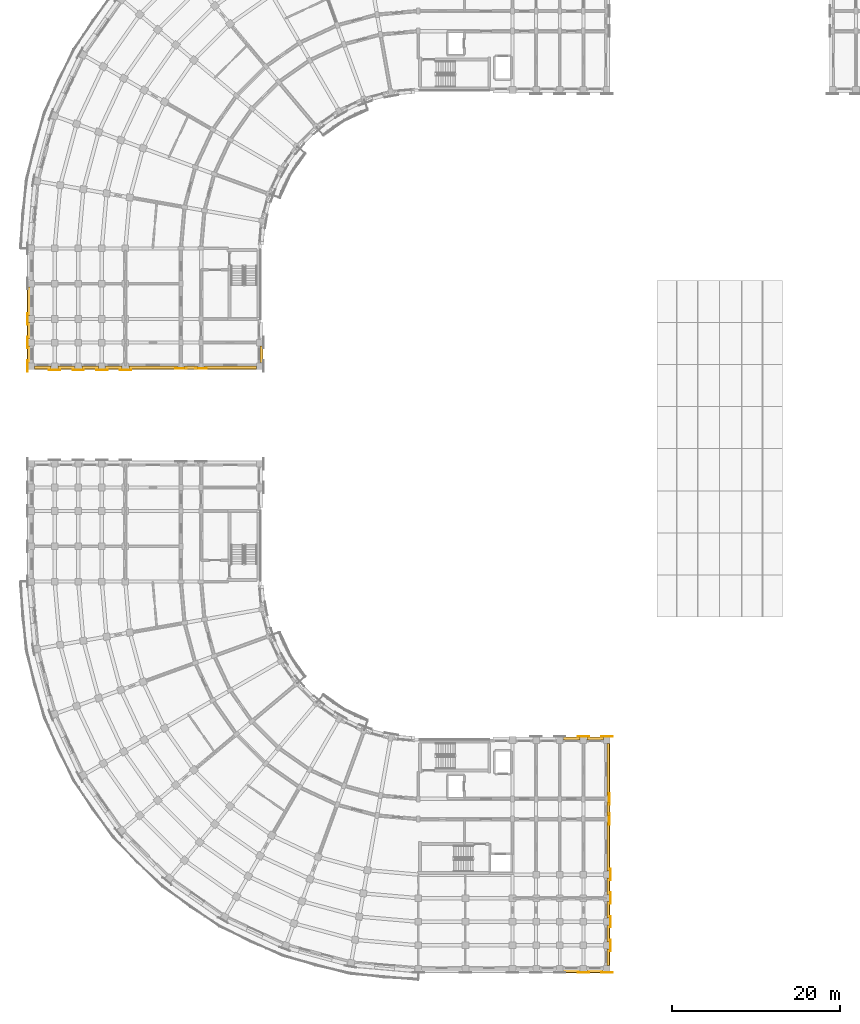
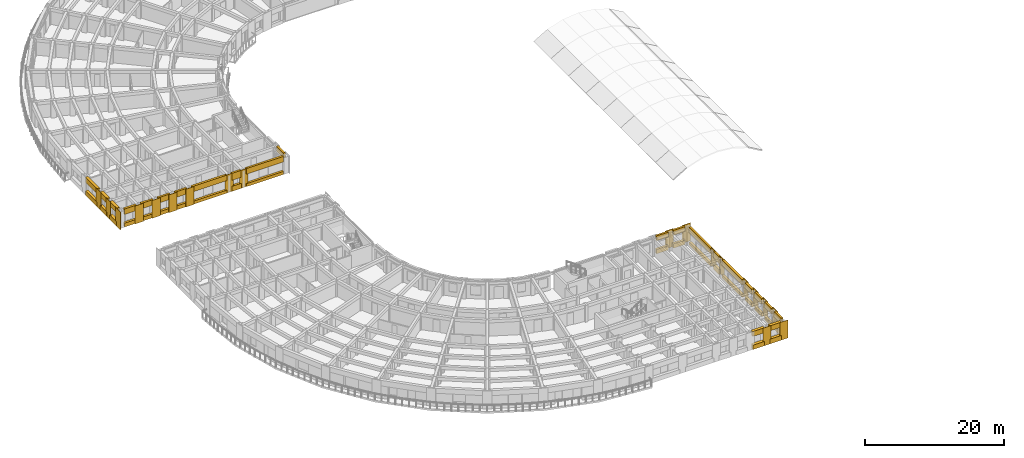
# One storey, part 43 of 54: 62 coverings.
"""IFC4 building model written with IfcOpenShell, lengths in metres."""

from ifc_helpers import new_model, si_unit, direction, frame, origin, place, context, subcontext, project, spatial, polyline, outline, extrude, material, layer, layer_set, type_object, element, save


model = new_model("IFC4")

# Units and contexts
model_context = context("Model", 3, precision=1e-05, world=origin(), true_north=direction((0.0, 1.0)))
body_context = subcontext(model_context, "Body", "Model", "MODEL_VIEW")
ifc_project = project(units=[si_unit("LENGTHUNIT", "METRE"), si_unit("AREAUNIT", "SQUARE_METRE"), si_unit("VOLUMEUNIT", "CUBIC_METRE"), si_unit("PLANEANGLEUNIT", "RADIAN"), si_unit("MASSUNIT", "GRAM", prefix="KILO")], contexts=[model_context])

# Site, building, storey
site_placement = place(None, origin())
site = spatial("IfcSite", under=ifc_project, at=site_placement, CompositionType="ELEMENT")
building_placement = place(site_placement, origin())
building = spatial("IfcBuilding", under=site, at=building_placement, Name="Kiranvali Square Residences", CompositionType="ELEMENT")
storey_placement = place(building_placement, frame((0.0, 0.0, 15.0)))
storey = spatial("IfcBuildingStorey", under=building, at=storey_placement, Name="L04", CompositionType="ELEMENT", Elevation=15.0)

# Coverings
ifc_material = material(Name="Honed Porbandar limestone ashlar facade cladding", Category="masonry")
ifc_layer_1 = layer(ifc_material, 0.06494140625)
ifc_layer_set_1 = layer_set([ifc_layer_1], Name="Honed Porbandar limestone ashlar facade cladding")
covering_type_1 = type_object("IfcCoveringType", Name="COV-CLAD-PIER", PredefinedType="CLADDING", material=ifc_layer_set_1)
covering_1_placement = place(storey_placement, frame((0.0, 0.0, 0.0048828125)))
element("IfcCovering", 1, at=covering_1_placement, inside=storey, type_object=covering_type_1, Name="L04 Classical limestone pilaster casing CLAD-PR-A-L04-V84", PredefinedType="CLADDING", context=body_context, shape_type="SweptSolid", body=[
    extrude(outline(polyline([(1.73193359375, 80.080078125), (1.73193359375, 78.719970703125), (1.799560546875, 78.719970703125), (1.799560546875, 80.080078125), (1.73193359375, 80.080078125)])), origin(), (0.0, 0.0, 1.0), 3.14013671875),
])
covering_2_placement = place(storey_placement, frame((0.0, 0.0, 0.0048828125)))
element("IfcCovering", 2, at=covering_2_placement, inside=storey, type_object=covering_type_1, Name="L04 Classical limestone pilaster casing CLAD-PR-A-L04-V112", PredefinedType="CLADDING", context=body_context, shape_type="SweptSolid", body=[
    extrude(outline(polyline([(1.73193359375, 77.280029296875), (1.73193359375, 75.919921875), (1.799560546875, 75.919921875), (1.799560546875, 77.280029296875), (1.73193359375, 77.280029296875)])), origin(), (0.0, 0.0, 1.0), 3.14013671875),
])
covering_3_placement = place(storey_placement, frame((0.0, 0.0, 0.0048828125)))
element("IfcCovering", 3, at=covering_3_placement, inside=storey, type_object=covering_type_1, Name="L04 Classical limestone pilaster casing CLAD-PR-A-L04-V140", PredefinedType="CLADDING", context=body_context, shape_type="SweptSolid", body=[
    extrude(outline(polyline([(1.73193359375, 74.47998046875), (1.73193359375, 73.1201171875), (1.799560546875, 73.1201171875), (1.799560546875, 74.47998046875), (1.73193359375, 74.47998046875)])), origin(), (0.0, 0.0, 1.0), 3.14013671875),
])
covering_4_placement = place(storey_placement, frame((0.0, 0.0, 0.0048828125)))
element("IfcCovering", 4, at=covering_4_placement, inside=storey, type_object=covering_type_1, Name="L04 Classical limestone pilaster casing CLAD-PR-C-L04-U195", PredefinedType="CLADDING", context=body_context, shape_type="SweptSolid", body=[
    extrude(outline(polyline([(67.1201171875, 1.73193359375), (68.47998046875, 1.73193359375), (68.47998046875, 1.799560546875), (67.1201171875, 1.799560546875), (67.1201171875, 1.73193359375)])), origin(), (0.0, 0.0, 1.0), 3.14013671875),
])
covering_5_placement = place(storey_placement, frame((0.0, 0.0, 0.0048828125)))
element("IfcCovering", 5, at=covering_5_placement, inside=storey, type_object=covering_type_1, Name="L04 Classical limestone pilaster casing CLAD-PR-C-L04-U224", PredefinedType="CLADDING", context=body_context, shape_type="SweptSolid", body=[
    extrude(outline(polyline([(69.919921875, 1.73193359375), (71.280029296875, 1.73193359375), (71.280029296875, 1.799560546875), (69.919921875, 1.799560546875), (69.919921875, 1.73193359375)])), origin(), (0.0, 0.0, 1.0), 3.14013671875),
])
ifc_layer_2 = layer(ifc_material, 0.050048828125)
ifc_layer_set_2 = layer_set([ifc_layer_2], Name="Honed Porbandar limestone ashlar facade cladding")
covering_type_2 = type_object("IfcCoveringType", Name="COV-CLAD-PIER-IN", PredefinedType="CLADDING", material=ifc_layer_set_2)
covering_6_placement = place(storey_placement, frame((0.0, 0.0, 0.0048828125)))
element("IfcCovering", 6, at=covering_6_placement, inside=storey, type_object=covering_type_2, Name="L04 Classical limestone pilaster casing CLAD-PRA1I-C-L04-U195", PredefinedType="CLADDING", context=body_context, shape_type="SweptSolid", body=[
    extrude(outline(polyline([(67.1201171875, 29.800537109375), (68.47998046875, 29.800537109375), (68.47998046875, 29.867919921875), (67.1201171875, 29.867919921875), (67.1201171875, 29.800537109375)])), origin(), (0.0, 0.0, 1.0), 3.14013671875),
])
covering_7_placement = place(storey_placement, frame((0.0, 0.0, 0.0048828125)))
element("IfcCovering", 7, at=covering_7_placement, inside=storey, type_object=covering_type_2, Name="L04 Classical limestone pilaster casing CLAD-PRA1I-C-L04-U224", PredefinedType="CLADDING", context=body_context, shape_type="SweptSolid", body=[
    extrude(outline(polyline([(69.919921875, 29.800537109375), (71.280029296875, 29.800537109375), (71.280029296875, 29.867919921875), (69.919921875, 29.867919921875), (69.919921875, 29.800537109375)])), origin(), (0.0, 0.0, 1.0), 3.14013671875),
])
ifc_layer_3 = layer(ifc_material, 0.054931640625)
ifc_layer_set_3 = layer_set([ifc_layer_3], Name="Honed Porbandar limestone ashlar facade cladding")
covering_type_3 = type_object("IfcCoveringType", Name="COV-CLAD-PIER-UP", PredefinedType="CLADDING", material=ifc_layer_set_3)
covering_8_placement = place(storey_placement, frame((0.0, 0.0, 0.0048828125)))
element("IfcCovering", 8, at=covering_8_placement, inside=storey, type_object=covering_type_3, Name="L04 Classical limestone pilaster casing CLAD-PRA2E-A-L04-R258", PredefinedType="CLADDING", context=body_context, shape_type="SweptSolid", body=[
    extrude(outline(polyline([(23.080078125, 73.549560546875), (21.719970703125, 73.549560546875), (21.719970703125, 73.48193359375), (23.080078125, 73.48193359375), (23.080078125, 73.549560546875)])), origin(), (0.0, 0.0, 1.0), 3.14013671875),
])
covering_9_placement = place(storey_placement, frame((0.0, 0.0, 0.0048828125)))
element("IfcCovering", 9, at=covering_9_placement, inside=storey, type_object=covering_type_3, Name="L04 Classical limestone pilaster casing CLAD-PRA2E-A-L04-R282", PredefinedType="CLADDING", context=body_context, shape_type="SweptSolid", body=[
    extrude(outline(polyline([(20.679931640625, 73.549560546875), (19.320068359375, 73.549560546875), (19.320068359375, 73.48193359375), (20.679931640625, 73.48193359375), (20.679931640625, 73.549560546875)])), origin(), (0.0, 0.0, 1.0), 3.14013671875),
])
covering_10_placement = place(storey_placement, frame((0.0, 0.0, 0.0048828125)))
element("IfcCovering", 10, at=covering_10_placement, inside=storey, type_object=covering_type_3, Name="L04 Classical limestone pilaster casing CLAD-PRA2E-A-L04-R348", PredefinedType="CLADDING", context=body_context, shape_type="SweptSolid", body=[
    extrude(outline(polyline([(14.080078125, 73.3994140625), (12.719970703125, 73.3994140625), (12.719970703125, 73.33203125), (14.080078125, 73.33203125), (14.080078125, 73.3994140625)])), origin(), (0.0, 0.0, 1.0), 3.14013671875),
])
covering_11_placement = place(storey_placement, frame((0.0, 0.0, 0.0048828125)))
element("IfcCovering", 11, at=covering_11_placement, inside=storey, type_object=covering_type_3, Name="L04 Classical limestone pilaster casing CLAD-PRA2E-A-L04-R376", PredefinedType="CLADDING", context=body_context, shape_type="SweptSolid", body=[
    extrude(outline(polyline([(11.280029296875, 73.3994140625), (9.919921875, 73.3994140625), (9.919921875, 73.33203125), (11.280029296875, 73.33203125), (11.280029296875, 73.3994140625)])), origin(), (0.0, 0.0, 1.0), 3.14013671875),
])
covering_12_placement = place(storey_placement, frame((0.0, 0.0, 0.0048828125)))
element("IfcCovering", 12, at=covering_12_placement, inside=storey, type_object=covering_type_3, Name="L04 Classical limestone pilaster casing CLAD-PRA2E-A-L04-R404", PredefinedType="CLADDING", context=body_context, shape_type="SweptSolid", body=[
    extrude(outline(polyline([(8.47998046875, 73.3994140625), (7.1201171875, 73.3994140625), (7.1201171875, 73.33203125), (8.47998046875, 73.33203125), (8.47998046875, 73.3994140625)])), origin(), (0.0, 0.0, 1.0), 3.14013671875),
])
covering_13_placement = place(storey_placement, frame((0.0, 0.0, 0.0048828125)))
element("IfcCovering", 13, at=covering_13_placement, inside=storey, type_object=covering_type_3, Name="L04 Classical limestone pilaster casing CLAD-PRA2E-A-L04-R432", PredefinedType="CLADDING", context=body_context, shape_type="SweptSolid", body=[
    extrude(outline(polyline([(5.679931640625, 73.3994140625), (4.320068359375, 73.3994140625), (4.320068359375, 73.33203125), (5.679931640625, 73.33203125), (5.679931640625, 73.3994140625)])), origin(), (0.0, 0.0, 1.0), 3.14013671875),
])
covering_14_placement = place(storey_placement, frame((0.0, 0.0, 0.0048828125)))
element("IfcCovering", 14, at=covering_14_placement, inside=storey, type_object=covering_type_3, Name="L04 Classical limestone pilaster casing CLAD-PRA1E-C-L04-R258", PredefinedType="CLADDING", context=body_context, shape_type="SweptSolid", body=[
    extrude(outline(polyline([(70.8505859375, 23.080078125), (70.8505859375, 21.719970703125), (70.91796875, 21.719970703125), (70.91796875, 23.080078125), (70.8505859375, 23.080078125)])), origin(), (0.0, 0.0, 1.0), 3.14013671875),
])
covering_15_placement = place(storey_placement, frame((0.0, 0.0, 0.0048828125)))
element("IfcCovering", 15, at=covering_15_placement, inside=storey, type_object=covering_type_3, Name="L04 Classical limestone pilaster casing CLAD-PRA1E-C-L04-R282", PredefinedType="CLADDING", context=body_context, shape_type="SweptSolid", body=[
    extrude(outline(polyline([(70.8505859375, 20.679931640625), (70.8505859375, 19.320068359375), (70.91796875, 19.320068359375), (70.91796875, 20.679931640625), (70.8505859375, 20.679931640625)])), origin(), (0.0, 0.0, 1.0), 3.14013671875),
])
covering_16_placement = place(storey_placement, frame((0.0, 0.0, 0.0048828125)))
element("IfcCovering", 16, at=covering_16_placement, inside=storey, type_object=covering_type_3, Name="L04 Classical limestone pilaster casing CLAD-PRA1E-C-L04-R348", PredefinedType="CLADDING", context=body_context, shape_type="SweptSolid", body=[
    extrude(outline(polyline([(71.00048828125, 14.080078125), (71.00048828125, 12.719970703125), (71.068115234375, 12.719970703125), (71.068115234375, 14.080078125), (71.00048828125, 14.080078125)])), origin(), (0.0, 0.0, 1.0), 3.14013671875),
])
covering_17_placement = place(storey_placement, frame((0.0, 0.0, 0.0048828125)))
element("IfcCovering", 17, at=covering_17_placement, inside=storey, type_object=covering_type_3, Name="L04 Classical limestone pilaster casing CLAD-PRA1E-C-L04-R376", PredefinedType="CLADDING", context=body_context, shape_type="SweptSolid", body=[
    extrude(outline(polyline([(71.00048828125, 11.280029296875), (71.00048828125, 9.919921875), (71.068115234375, 9.919921875), (71.068115234375, 11.280029296875), (71.00048828125, 11.280029296875)])), origin(), (0.0, 0.0, 1.0), 3.14013671875),
])
covering_18_placement = place(storey_placement, frame((0.0, 0.0, 0.0048828125)))
element("IfcCovering", 18, at=covering_18_placement, inside=storey, type_object=covering_type_3, Name="L04 Classical limestone pilaster casing CLAD-PRA1E-C-L04-R404", PredefinedType="CLADDING", context=body_context, shape_type="SweptSolid", body=[
    extrude(outline(polyline([(71.00048828125, 8.47998046875), (71.00048828125, 7.1201171875), (71.068115234375, 7.1201171875), (71.068115234375, 8.47998046875), (71.00048828125, 8.47998046875)])), origin(), (0.0, 0.0, 1.0), 3.14013671875),
])
covering_19_placement = place(storey_placement, frame((0.0, 0.0, 0.0048828125)))
element("IfcCovering", 19, at=covering_19_placement, inside=storey, type_object=covering_type_3, Name="L04 Classical limestone pilaster casing CLAD-PRA1E-C-L04-R432", PredefinedType="CLADDING", context=body_context, shape_type="SweptSolid", body=[
    extrude(outline(polyline([(71.00048828125, 5.679931640625), (71.00048828125, 4.320068359375), (71.068115234375, 4.320068359375), (71.068115234375, 5.679931640625), (71.00048828125, 5.679931640625)])), origin(), (0.0, 0.0, 1.0), 3.14013671875),
])
ifc_layer_4 = layer(ifc_material, 0.360107421875)
ifc_layer_set_4 = layer_set([ifc_layer_4], Name="Honed Porbandar limestone ashlar facade cladding")
covering_type_4 = type_object("IfcCoveringType", Name="COV-CLAD-WALL", PredefinedType="CLADDING", material=ifc_layer_set_4)
covering_20_placement = place(storey_placement, frame((0.0, 0.0, 2.27197265625)))
element("IfcCovering", 20, at=covering_20_placement, inside=storey, type_object=covering_type_4, Name="L04 light limestone spandrel lintel A-L04-A2O-1", PredefinedType="CLADDING", context=body_context, shape_type="SweptSolid", body=[
    extrude(outline(polyline([(1.75, 83.179931640625), (1.75, 79.820068359375), (2.199462890625, 79.820068359375), (2.199462890625, 83.179931640625), (1.75, 83.179931640625)])), origin(), (0.0, 0.0, 1.0), 0.873046875),
])
covering_21_placement = place(storey_placement, frame((0.0, 0.0, 0.0048828125)))
element("IfcCovering", 21, at=covering_21_placement, inside=storey, type_object=covering_type_4, Name="L04 limestone window sill apron A-L04-A2O-1", PredefinedType="CLADDING", context=body_context, shape_type="SweptSolid", body=[
    extrude(outline(polyline([(1.719970703125, 83.179931640625), (1.719970703125, 79.820068359375), (2.199462890625, 79.820068359375), (2.199462890625, 83.179931640625), (1.719970703125, 83.179931640625)])), origin(), (0.0, 0.0, 1.0), 0.76708984375),
])
covering_22_placement = place(storey_placement, frame((0.0, 0.0, 2.27197265625)))
element("IfcCovering", 22, at=covering_22_placement, inside=storey, type_object=covering_type_4, Name="L04 light limestone spandrel lintel A-L04-A2O-2", PredefinedType="CLADDING", context=body_context, shape_type="SweptSolid", body=[
    extrude(outline(polyline([(1.75, 78.97998046875), (1.75, 77.02001953125), (2.199462890625, 77.02001953125), (2.199462890625, 78.97998046875), (1.75, 78.97998046875)])), origin(), (0.0, 0.0, 1.0), 0.873046875),
])
covering_23_placement = place(storey_placement, frame((0.0, 0.0, 0.0048828125)))
element("IfcCovering", 23, at=covering_23_placement, inside=storey, type_object=covering_type_4, Name="L04 limestone window sill apron A-L04-A2O-2", PredefinedType="CLADDING", context=body_context, shape_type="SweptSolid", body=[
    extrude(outline(polyline([(1.719970703125, 78.97998046875), (1.719970703125, 77.02001953125), (2.199462890625, 77.02001953125), (2.199462890625, 78.97998046875), (1.719970703125, 78.97998046875)])), origin(), (0.0, 0.0, 1.0), 0.76708984375),
])
covering_24_placement = place(storey_placement, frame((0.0, 0.0, 2.27197265625)))
element("IfcCovering", 24, at=covering_24_placement, inside=storey, type_object=covering_type_4, Name="L04 light limestone spandrel lintel A-L04-A2O-3", PredefinedType="CLADDING", context=body_context, shape_type="SweptSolid", body=[
    extrude(outline(polyline([(1.75, 76.179931640625), (1.75, 74.219970703125), (2.199462890625, 74.219970703125), (2.199462890625, 76.179931640625), (1.75, 76.179931640625)])), origin(), (0.0, 0.0, 1.0), 0.873046875),
])
covering_25_placement = place(storey_placement, frame((0.0, 0.0, 0.0048828125)))
element("IfcCovering", 25, at=covering_25_placement, inside=storey, type_object=covering_type_4, Name="L04 limestone window sill apron A-L04-A2O-3", PredefinedType="CLADDING", context=body_context, shape_type="SweptSolid", body=[
    extrude(outline(polyline([(1.719970703125, 76.179931640625), (1.719970703125, 74.219970703125), (2.199462890625, 74.219970703125), (2.199462890625, 76.179931640625), (1.719970703125, 76.179931640625)])), origin(), (0.0, 0.0, 1.0), 0.76708984375),
])
covering_26_placement = place(storey_placement, frame((0.0, 0.0, 2.27197265625)))
element("IfcCovering", 26, at=covering_26_placement, inside=storey, type_object=covering_type_4, Name="L04 light limestone spandrel lintel A-L04-A2I-1", PredefinedType="CLADDING", context=body_context, shape_type="SweptSolid", body=[
    extrude(outline(polyline([(29.400390625, 76.179931640625), (29.400390625, 74.219970703125), (29.719970703125, 74.219970703125), (29.719970703125, 76.179931640625), (29.400390625, 76.179931640625)])), origin(), (0.0, 0.0, 1.0), 0.873046875),
])
covering_27_placement = place(storey_placement, frame((0.0, 0.0, 2.172119140625)))
element("IfcCovering", 27, at=covering_27_placement, inside=storey, type_object=covering_type_4, Name="L04 light limestone spandrel lintel A-L04-A2END-0", PredefinedType="CLADDING", context=body_context, shape_type="SweptSolid", body=[
    extrude(outline(polyline([(28.97998046875, 73.799560546875), (22.820068359375, 73.799560546875), (22.820068359375, 73.4599609375), (28.97998046875, 73.4599609375), (28.97998046875, 73.799560546875)])), origin(), (0.0, 0.0, 1.0), 0.972900390625),
])
covering_28_placement = place(storey_placement, frame((0.0, 0.0, 0.0048828125)))
element("IfcCovering", 28, at=covering_28_placement, inside=storey, type_object=covering_type_4, Name="L04 limestone window sill apron A-L04-A2END-0", PredefinedType="CLADDING", context=body_context, shape_type="SweptSolid", body=[
    extrude(outline(polyline([(28.97998046875, 73.799560546875), (22.820068359375, 73.799560546875), (22.820068359375, 73.429931640625), (28.97998046875, 73.429931640625), (28.97998046875, 73.799560546875)])), origin(), (0.0, 0.0, 1.0), 0.51708984375),
])
covering_29_placement = place(storey_placement, frame((0.0, 0.0, 1.929931640625)))
element("IfcCovering", 29, at=covering_29_placement, inside=storey, type_object=covering_type_4, Name="L04 light limestone spandrel lintel A-L04-A2END-1", PredefinedType="CLADDING", context=body_context, shape_type="SweptSolid", body=[
    extrude(outline(polyline([(21.97998046875, 73.799560546875), (20.419921875, 73.799560546875), (20.419921875, 73.4599609375), (21.97998046875, 73.4599609375), (21.97998046875, 73.799560546875)])), origin(), (0.0, 0.0, 1.0), 1.215087890625),
])
covering_30_placement = place(storey_placement, frame((0.0, 0.0, 0.0048828125)))
element("IfcCovering", 30, at=covering_30_placement, inside=storey, type_object=covering_type_4, Name="L04 limestone window sill apron A-L04-A2END-1", PredefinedType="CLADDING", context=body_context, shape_type="SweptSolid", body=[
    extrude(outline(polyline([(21.97998046875, 73.799560546875), (20.419921875, 73.799560546875), (20.419921875, 73.429931640625), (21.97998046875, 73.429931640625), (21.97998046875, 73.799560546875)])), origin(), (0.0, 0.0, 1.0), 0.875),
])
covering_31_placement = place(storey_placement, frame((0.0, 0.0, 2.172119140625)))
element("IfcCovering", 31, at=covering_31_placement, inside=storey, type_object=covering_type_4, Name="L04 light limestone spandrel lintel A-L04-A2END-2", PredefinedType="CLADDING", context=body_context, shape_type="SweptSolid", body=[
    extrude(outline(polyline([(19.580078125, 73.799560546875), (13.820068359375, 73.799560546875), (13.820068359375, 73.4599609375), (19.580078125, 73.4599609375), (19.580078125, 73.799560546875)])), origin(), (0.0, 0.0, 1.0), 0.972900390625),
])
covering_32_placement = place(storey_placement, frame((0.0, 0.0, 0.0048828125)))
element("IfcCovering", 32, at=covering_32_placement, inside=storey, type_object=covering_type_4, Name="L04 limestone window sill apron A-L04-A2END-2", PredefinedType="CLADDING", context=body_context, shape_type="SweptSolid", body=[
    extrude(outline(polyline([(19.580078125, 73.799560546875), (13.820068359375, 73.799560546875), (13.820068359375, 73.429931640625), (19.580078125, 73.429931640625), (19.580078125, 73.799560546875)])), origin(), (0.0, 0.0, 1.0), 0.51708984375),
])
covering_33_placement = place(storey_placement, frame((0.0, 0.0, 2.172119140625)))
element("IfcCovering", 33, at=covering_33_placement, inside=storey, type_object=covering_type_4, Name="L04 light limestone spandrel lintel A-L04-A2END-3", PredefinedType="CLADDING", context=body_context, shape_type="SweptSolid", body=[
    extrude(outline(polyline([(12.97998046875, 73.799560546875), (11.02001953125, 73.799560546875), (11.02001953125, 73.4599609375), (12.97998046875, 73.4599609375), (12.97998046875, 73.799560546875)])), origin(), (0.0, 0.0, 1.0), 0.972900390625),
])
covering_34_placement = place(storey_placement, frame((0.0, 0.0, 0.0048828125)))
element("IfcCovering", 34, at=covering_34_placement, inside=storey, type_object=covering_type_4, Name="L04 limestone window sill apron A-L04-A2END-3", PredefinedType="CLADDING", context=body_context, shape_type="SweptSolid", body=[
    extrude(outline(polyline([(12.97998046875, 73.799560546875), (11.02001953125, 73.799560546875), (11.02001953125, 73.429931640625), (12.97998046875, 73.429931640625), (12.97998046875, 73.799560546875)])), origin(), (0.0, 0.0, 1.0), 0.667236328125),
])
covering_35_placement = place(storey_placement, frame((0.0, 0.0, 2.172119140625)))
element("IfcCovering", 35, at=covering_35_placement, inside=storey, type_object=covering_type_4, Name="L04 light limestone spandrel lintel A-L04-A2END-4", PredefinedType="CLADDING", context=body_context, shape_type="SweptSolid", body=[
    extrude(outline(polyline([(10.179931640625, 73.799560546875), (8.219970703125, 73.799560546875), (8.219970703125, 73.4599609375), (10.179931640625, 73.4599609375), (10.179931640625, 73.799560546875)])), origin(), (0.0, 0.0, 1.0), 0.972900390625),
])
covering_36_placement = place(storey_placement, frame((0.0, 0.0, 0.0048828125)))
element("IfcCovering", 36, at=covering_36_placement, inside=storey, type_object=covering_type_4, Name="L04 limestone window sill apron A-L04-A2END-4", PredefinedType="CLADDING", context=body_context, shape_type="SweptSolid", body=[
    extrude(outline(polyline([(10.179931640625, 73.799560546875), (8.219970703125, 73.799560546875), (8.219970703125, 73.429931640625), (10.179931640625, 73.429931640625), (10.179931640625, 73.799560546875)])), origin(), (0.0, 0.0, 1.0), 0.667236328125),
])
covering_37_placement = place(storey_placement, frame((0.0, 0.0, 2.172119140625)))
element("IfcCovering", 37, at=covering_37_placement, inside=storey, type_object=covering_type_4, Name="L04 light limestone spandrel lintel A-L04-A2END-5", PredefinedType="CLADDING", context=body_context, shape_type="SweptSolid", body=[
    extrude(outline(polyline([(7.3798828125, 73.799560546875), (5.419921875, 73.799560546875), (5.419921875, 73.4599609375), (7.3798828125, 73.4599609375), (7.3798828125, 73.799560546875)])), origin(), (0.0, 0.0, 1.0), 0.972900390625),
])
covering_38_placement = place(storey_placement, frame((0.0, 0.0, 0.0048828125)))
element("IfcCovering", 38, at=covering_38_placement, inside=storey, type_object=covering_type_4, Name="L04 limestone window sill apron A-L04-A2END-5", PredefinedType="CLADDING", context=body_context, shape_type="SweptSolid", body=[
    extrude(outline(polyline([(7.3798828125, 73.799560546875), (5.419921875, 73.799560546875), (5.419921875, 73.429931640625), (7.3798828125, 73.429931640625), (7.3798828125, 73.799560546875)])), origin(), (0.0, 0.0, 1.0), 0.667236328125),
])
covering_39_placement = place(storey_placement, frame((0.0, 0.0, 2.172119140625)))
element("IfcCovering", 39, at=covering_39_placement, inside=storey, type_object=covering_type_4, Name="L04 light limestone spandrel lintel A-L04-A2END-6", PredefinedType="CLADDING", context=body_context, shape_type="SweptSolid", body=[
    extrude(outline(polyline([(4.580078125, 73.799560546875), (2.6201171875, 73.799560546875), (2.6201171875, 73.4599609375), (4.580078125, 73.4599609375), (4.580078125, 73.799560546875)])), origin(), (0.0, 0.0, 1.0), 0.972900390625),
])
covering_40_placement = place(storey_placement, frame((0.0, 0.0, 0.0048828125)))
element("IfcCovering", 40, at=covering_40_placement, inside=storey, type_object=covering_type_4, Name="L04 limestone window sill apron A-L04-A2END-6", PredefinedType="CLADDING", context=body_context, shape_type="SweptSolid", body=[
    extrude(outline(polyline([(4.580078125, 73.799560546875), (2.6201171875, 73.799560546875), (2.6201171875, 73.429931640625), (4.580078125, 73.429931640625), (4.580078125, 73.799560546875)])), origin(), (0.0, 0.0, 1.0), 0.667236328125),
])
covering_41_placement = place(storey_placement, frame((0.0, 0.0, 2.27197265625)))
element("IfcCovering", 41, at=covering_41_placement, inside=storey, type_object=covering_type_4, Name="L04 light limestone spandrel lintel C-L04-A1O-4", PredefinedType="CLADDING", context=body_context, shape_type="SweptSolid", body=[
    extrude(outline(polyline([(65.43994140625, 1.75), (67.360107421875, 1.75), (67.360107421875, 2.199462890625), (65.43994140625, 2.199462890625), (65.43994140625, 1.75)])), origin(), (0.0, 0.0, 1.0), 0.873046875),
])
covering_42_placement = place(storey_placement, frame((0.0, 0.0, 0.0048828125)))
element("IfcCovering", 42, at=covering_42_placement, inside=storey, type_object=covering_type_4, Name="L04 limestone window sill apron C-L04-A1O-4", PredefinedType="CLADDING", context=body_context, shape_type="SweptSolid", body=[
    extrude(outline(polyline([(65.43994140625, 1.719970703125), (67.360107421875, 1.719970703125), (67.360107421875, 2.199462890625), (65.43994140625, 2.199462890625), (65.43994140625, 1.719970703125)])), origin(), (0.0, 0.0, 1.0), 0.76708984375),
])
covering_43_placement = place(storey_placement, frame((0.0, 0.0, 2.27197265625)))
element("IfcCovering", 43, at=covering_43_placement, inside=storey, type_object=covering_type_4, Name="L04 light limestone spandrel lintel C-L04-A1O-5", PredefinedType="CLADDING", context=body_context, shape_type="SweptSolid", body=[
    extrude(outline(polyline([(68.239990234375, 1.75), (70.159912109375, 1.75), (70.159912109375, 2.199462890625), (68.239990234375, 2.199462890625), (68.239990234375, 1.75)])), origin(), (0.0, 0.0, 1.0), 0.873046875),
])
covering_44_placement = place(storey_placement, frame((0.0, 0.0, 0.0048828125)))
element("IfcCovering", 44, at=covering_44_placement, inside=storey, type_object=covering_type_4, Name="L04 limestone window sill apron C-L04-A1O-5", PredefinedType="CLADDING", context=body_context, shape_type="SweptSolid", body=[
    extrude(outline(polyline([(68.239990234375, 1.719970703125), (70.159912109375, 1.719970703125), (70.159912109375, 2.199462890625), (68.239990234375, 2.199462890625), (68.239990234375, 1.719970703125)])), origin(), (0.0, 0.0, 1.0), 0.817138671875),
])
covering_45_placement = place(storey_placement, frame((0.0, 0.0, 2.27197265625)))
element("IfcCovering", 45, at=covering_45_placement, inside=storey, type_object=covering_type_4, Name="L04 light limestone spandrel lintel C-L04-A1I-2", PredefinedType="CLADDING", context=body_context, shape_type="SweptSolid", body=[
    extrude(outline(polyline([(65.419921875, 29.400390625), (67.3798828125, 29.400390625), (67.3798828125, 29.719970703125), (65.419921875, 29.719970703125), (65.419921875, 29.400390625)])), origin(), (0.0, 0.0, 1.0), 0.873046875),
])
covering_46_placement = place(storey_placement, frame((0.0, 0.0, 0.0048828125)))
element("IfcCovering", 46, at=covering_46_placement, inside=storey, type_object=covering_type_4, Name="L04 limestone window sill apron C-L04-A1I-2", PredefinedType="CLADDING", context=body_context, shape_type="SweptSolid", body=[
    extrude(outline(polyline([(65.419921875, 29.400390625), (67.3798828125, 29.400390625), (67.3798828125, 29.75), (65.419921875, 29.75), (65.419921875, 29.400390625)])), origin(), (0.0, 0.0, 1.0), 0.76708984375),
])
covering_47_placement = place(storey_placement, frame((0.0, 0.0, 2.27197265625)))
element("IfcCovering", 47, at=covering_47_placement, inside=storey, type_object=covering_type_4, Name="L04 light limestone spandrel lintel C-L04-A1I-3", PredefinedType="CLADDING", context=body_context, shape_type="SweptSolid", body=[
    extrude(outline(polyline([(68.219970703125, 29.400390625), (70.179931640625, 29.400390625), (70.179931640625, 29.719970703125), (68.219970703125, 29.719970703125), (68.219970703125, 29.400390625)])), origin(), (0.0, 0.0, 1.0), 0.873046875),
])
covering_48_placement = place(storey_placement, frame((0.0, 0.0, 0.0048828125)))
element("IfcCovering", 48, at=covering_48_placement, inside=storey, type_object=covering_type_4, Name="L04 limestone window sill apron C-L04-A1I-3", PredefinedType="CLADDING", context=body_context, shape_type="SweptSolid", body=[
    extrude(outline(polyline([(68.219970703125, 29.400390625), (70.179931640625, 29.400390625), (70.179931640625, 29.75), (68.219970703125, 29.75), (68.219970703125, 29.400390625)])), origin(), (0.0, 0.0, 1.0), 0.76708984375),
])
covering_49_placement = place(storey_placement, frame((0.0, 0.0, 2.172119140625)))
element("IfcCovering", 49, at=covering_49_placement, inside=storey, type_object=covering_type_4, Name="L04 light limestone spandrel lintel C-L04-A1END-0", PredefinedType="CLADDING", context=body_context, shape_type="SweptSolid", body=[
    extrude(outline(polyline([(70.6005859375, 28.97998046875), (70.6005859375, 22.820068359375), (70.93994140625, 22.820068359375), (70.93994140625, 28.97998046875), (70.6005859375, 28.97998046875)])), origin(), (0.0, 0.0, 1.0), 0.972900390625),
])
covering_50_placement = place(storey_placement, frame((0.0, 0.0, 0.0048828125)))
element("IfcCovering", 50, at=covering_50_placement, inside=storey, type_object=covering_type_4, Name="L04 limestone window sill apron C-L04-A1END-0", PredefinedType="CLADDING", context=body_context, shape_type="SweptSolid", body=[
    extrude(outline(polyline([(70.6005859375, 28.97998046875), (70.6005859375, 22.820068359375), (70.969970703125, 22.820068359375), (70.969970703125, 28.97998046875), (70.6005859375, 28.97998046875)])), origin(), (0.0, 0.0, 1.0), 0.51708984375),
])
covering_51_placement = place(storey_placement, frame((0.0, 0.0, 1.929931640625)))
element("IfcCovering", 51, at=covering_51_placement, inside=storey, type_object=covering_type_4, Name="L04 light limestone spandrel lintel C-L04-A1END-1", PredefinedType="CLADDING", context=body_context, shape_type="SweptSolid", body=[
    extrude(outline(polyline([(70.6005859375, 21.97998046875), (70.6005859375, 20.419921875), (70.93994140625, 20.419921875), (70.93994140625, 21.97998046875), (70.6005859375, 21.97998046875)])), origin(), (0.0, 0.0, 1.0), 1.215087890625),
])
covering_52_placement = place(storey_placement, frame((0.0, 0.0, 0.0048828125)))
element("IfcCovering", 52, at=covering_52_placement, inside=storey, type_object=covering_type_4, Name="L04 limestone window sill apron C-L04-A1END-1", PredefinedType="CLADDING", context=body_context, shape_type="SweptSolid", body=[
    extrude(outline(polyline([(70.6005859375, 21.97998046875), (70.6005859375, 20.419921875), (70.969970703125, 20.419921875), (70.969970703125, 21.97998046875), (70.6005859375, 21.97998046875)])), origin(), (0.0, 0.0, 1.0), 0.875),
])
covering_53_placement = place(storey_placement, frame((0.0, 0.0, 2.172119140625)))
element("IfcCovering", 53, at=covering_53_placement, inside=storey, type_object=covering_type_4, Name="L04 light limestone spandrel lintel C-L04-A1END-2", PredefinedType="CLADDING", context=body_context, shape_type="SweptSolid", body=[
    extrude(outline(polyline([(70.6005859375, 19.580078125), (70.6005859375, 13.820068359375), (70.93994140625, 13.820068359375), (70.93994140625, 19.580078125), (70.6005859375, 19.580078125)])), origin(), (0.0, 0.0, 1.0), 0.972900390625),
])
covering_54_placement = place(storey_placement, frame((0.0, 0.0, 0.0048828125)))
element("IfcCovering", 54, at=covering_54_placement, inside=storey, type_object=covering_type_4, Name="L04 limestone window sill apron C-L04-A1END-2", PredefinedType="CLADDING", context=body_context, shape_type="SweptSolid", body=[
    extrude(outline(polyline([(70.6005859375, 19.580078125), (70.6005859375, 13.820068359375), (70.969970703125, 13.820068359375), (70.969970703125, 19.580078125), (70.6005859375, 19.580078125)])), origin(), (0.0, 0.0, 1.0), 0.51708984375),
])
covering_55_placement = place(storey_placement, frame((0.0, 0.0, 2.172119140625)))
element("IfcCovering", 55, at=covering_55_placement, inside=storey, type_object=covering_type_4, Name="L04 light limestone spandrel lintel C-L04-A1END-3", PredefinedType="CLADDING", context=body_context, shape_type="SweptSolid", body=[
    extrude(outline(polyline([(70.6005859375, 12.97998046875), (70.6005859375, 11.02001953125), (70.93994140625, 11.02001953125), (70.93994140625, 12.97998046875), (70.6005859375, 12.97998046875)])), origin(), (0.0, 0.0, 1.0), 0.972900390625),
])
covering_56_placement = place(storey_placement, frame((0.0, 0.0, 0.0048828125)))
element("IfcCovering", 56, at=covering_56_placement, inside=storey, type_object=covering_type_4, Name="L04 limestone window sill apron C-L04-A1END-3", PredefinedType="CLADDING", context=body_context, shape_type="SweptSolid", body=[
    extrude(outline(polyline([(70.6005859375, 12.97998046875), (70.6005859375, 11.02001953125), (70.969970703125, 11.02001953125), (70.969970703125, 12.97998046875), (70.6005859375, 12.97998046875)])), origin(), (0.0, 0.0, 1.0), 0.667236328125),
])
covering_57_placement = place(storey_placement, frame((0.0, 0.0, 2.172119140625)))
element("IfcCovering", 57, at=covering_57_placement, inside=storey, type_object=covering_type_4, Name="L04 light limestone spandrel lintel C-L04-A1END-4", PredefinedType="CLADDING", context=body_context, shape_type="SweptSolid", body=[
    extrude(outline(polyline([(70.6005859375, 10.179931640625), (70.6005859375, 8.219970703125), (70.93994140625, 8.219970703125), (70.93994140625, 10.179931640625), (70.6005859375, 10.179931640625)])), origin(), (0.0, 0.0, 1.0), 0.972900390625),
])
covering_58_placement = place(storey_placement, frame((0.0, 0.0, 0.0048828125)))
element("IfcCovering", 58, at=covering_58_placement, inside=storey, type_object=covering_type_4, Name="L04 limestone window sill apron C-L04-A1END-4", PredefinedType="CLADDING", context=body_context, shape_type="SweptSolid", body=[
    extrude(outline(polyline([(70.6005859375, 10.179931640625), (70.6005859375, 8.219970703125), (70.969970703125, 8.219970703125), (70.969970703125, 10.179931640625), (70.6005859375, 10.179931640625)])), origin(), (0.0, 0.0, 1.0), 0.667236328125),
])
covering_59_placement = place(storey_placement, frame((0.0, 0.0, 2.172119140625)))
element("IfcCovering", 59, at=covering_59_placement, inside=storey, type_object=covering_type_4, Name="L04 light limestone spandrel lintel C-L04-A1END-5", PredefinedType="CLADDING", context=body_context, shape_type="SweptSolid", body=[
    extrude(outline(polyline([(70.6005859375, 7.3798828125), (70.6005859375, 5.419921875), (70.93994140625, 5.419921875), (70.93994140625, 7.3798828125), (70.6005859375, 7.3798828125)])), origin(), (0.0, 0.0, 1.0), 0.972900390625),
])
covering_60_placement = place(storey_placement, frame((0.0, 0.0, 0.0048828125)))
element("IfcCovering", 60, at=covering_60_placement, inside=storey, type_object=covering_type_4, Name="L04 limestone window sill apron C-L04-A1END-5", PredefinedType="CLADDING", context=body_context, shape_type="SweptSolid", body=[
    extrude(outline(polyline([(70.6005859375, 7.3798828125), (70.6005859375, 5.419921875), (70.969970703125, 5.419921875), (70.969970703125, 7.3798828125), (70.6005859375, 7.3798828125)])), origin(), (0.0, 0.0, 1.0), 0.667236328125),
])
covering_61_placement = place(storey_placement, frame((0.0, 0.0, 2.172119140625)))
element("IfcCovering", 61, at=covering_61_placement, inside=storey, type_object=covering_type_4, Name="L04 light limestone spandrel lintel C-L04-A1END-6", PredefinedType="CLADDING", context=body_context, shape_type="SweptSolid", body=[
    extrude(outline(polyline([(70.6005859375, 4.580078125), (70.6005859375, 2.6201171875), (70.93994140625, 2.6201171875), (70.93994140625, 4.580078125), (70.6005859375, 4.580078125)])), origin(), (0.0, 0.0, 1.0), 0.972900390625),
])
covering_62_placement = place(storey_placement, frame((0.0, 0.0, 0.0048828125)))
element("IfcCovering", 62, at=covering_62_placement, inside=storey, type_object=covering_type_4, Name="L04 limestone window sill apron C-L04-A1END-6", PredefinedType="CLADDING", context=body_context, shape_type="SweptSolid", body=[
    extrude(outline(polyline([(70.6005859375, 4.580078125), (70.6005859375, 2.6201171875), (70.969970703125, 2.6201171875), (70.969970703125, 4.580078125), (70.6005859375, 4.580078125)])), origin(), (0.0, 0.0, 1.0), 0.667236328125),
])

save(model, "model.ifc")
